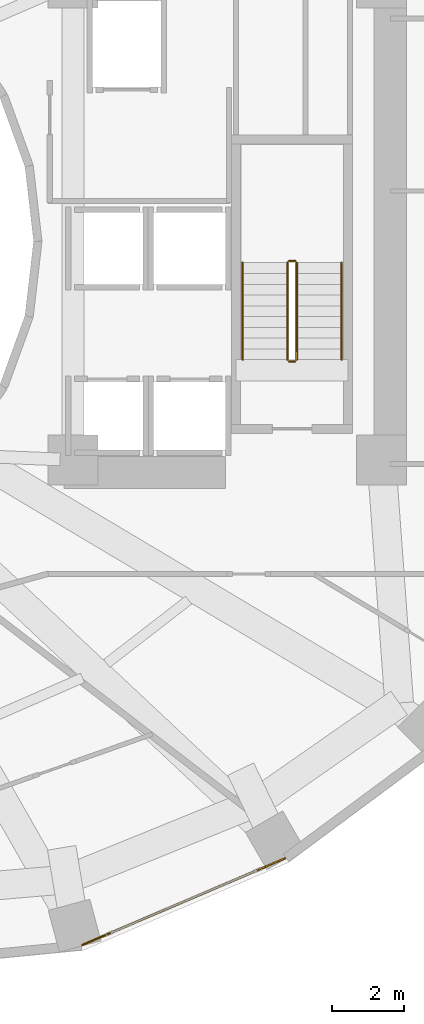
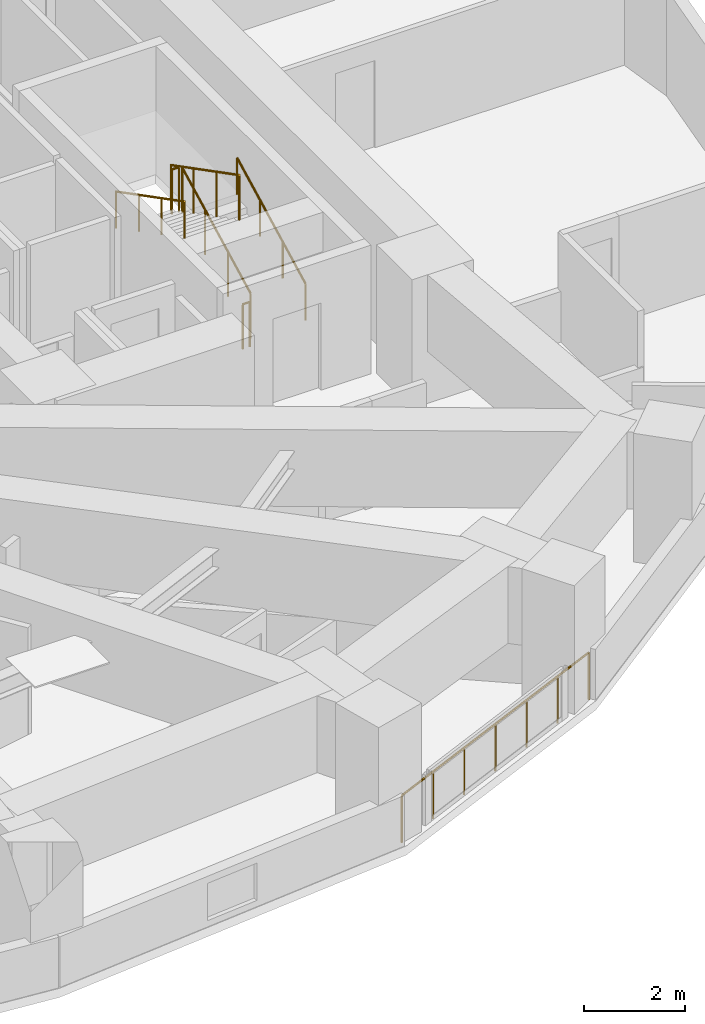
# One storey, part 15 of 16: 7 railings.
"""IFC4 building model written with IfcOpenShell, lengths in metres."""

from ifc_helpers import new_model, si_unit, direction, frame, origin, origin_2d, place, context, subcontext, project, spatial, circle, extrude, material, type_object, element, save


model = new_model("IFC4")

# Units and contexts
model_context = context("Model", 3, precision=1e-05, world=origin(), true_north=direction((0.0, 1.0)))
body_context = subcontext(model_context, "Body", "Model", "MODEL_VIEW")
ifc_project = project(units=[si_unit("LENGTHUNIT", "METRE"), si_unit("AREAUNIT", "SQUARE_METRE"), si_unit("VOLUMEUNIT", "CUBIC_METRE"), si_unit("PLANEANGLEUNIT", "RADIAN"), si_unit("MASSUNIT", "GRAM", prefix="KILO")], contexts=[model_context])

# Site, building, storey
site_placement = place(None, origin())
site = spatial("IfcSite", under=ifc_project, at=site_placement, CompositionType="ELEMENT")
building_placement = place(site_placement, origin())
building = spatial("IfcBuilding", under=site, at=building_placement, Name="Solvane Sanctuary Tower", CompositionType="ELEMENT")
storey_placement = place(building_placement, frame((0.0, 0.0, 61.699951171875)))
storey = spatial("IfcBuildingStorey", under=building, at=storey_placement, Name="L18", CompositionType="ELEMENT", Elevation=61.699951171875)

# Railings
ifc_material = material(Name="Architectural Stainless Steel 316", Category="steel")
railing_type_1 = type_object("IfcRailingType", Name="Railing GR-BALC-1150", PredefinedType="BALUSTRADE", material=ifc_material)
railing_1_placement = place(storey_placement, frame((40.359375, 3.37548828125, 0.0)))
element("IfcRailing", 1, at=railing_1_placement, inside=storey, type_object=railing_type_1, Name="L18 Curtain-Wall Perimeter Sill Guard 19", PredefinedType="BALUSTRADE", context=body_context, shape_type="SweptSolid", body=[
    extrude(circle(Radius=0.02392578125, at=origin_2d()), frame((0.0, 0.0, 1.1259765625), z_axis=(0.919604392421, 0.392845722186, 0.0), x_axis=(-0.392845722186, 0.919604392421, 0.0)), (0.0, 0.0, 1.0), 6.1494140625),
    extrude(circle(Radius=0.02099609375, at=origin_2d()), origin(), (0.0, 0.0, 1.0), 1.101806640625),
    extrude(circle(Radius=0.02099609375, at=origin_2d()), frame((0.9423828125, 0.402587890625, 0.0)), (0.0, 0.0, 1.0), 1.101806640625),
    extrude(circle(Radius=0.02099609375, at=origin_2d()), frame((1.885009765625, 0.80517578125, 0.0)), (0.0, 0.0, 1.0), 1.101806640625),
    extrude(circle(Radius=0.02099609375, at=origin_2d()), frame((2.82763671875, 1.2080078125, 0.0)), (0.0, 0.0, 1.0), 1.101806640625),
    extrude(circle(Radius=0.02099609375, at=origin_2d()), frame((3.77001953125, 1.610595703125, 0.0)), (0.0, 0.0, 1.0), 1.101806640625),
    extrude(circle(Radius=0.02099609375, at=origin_2d()), frame((4.71240234375, 2.01318359375, 0.0)), (0.0, 0.0, 1.0), 1.101806640625),
    extrude(circle(Radius=0.02099609375, at=origin_2d()), frame((5.655029296875, 2.415771484375, 0.0)), (0.0, 0.0, 1.0), 1.101806640625),
])
railing_2_placement = place(storey_placement, frame((46.340087890625, 19.699951171875, 0.155029296875)))
element("IfcRailing", 2, at=railing_2_placement, inside=storey, type_object=railing_type_1, Name="L18 ST-2 stair guard 1", PredefinedType="BALUSTRADE", context=body_context, shape_type="SweptSolid", body=[
    extrude(circle(Radius=0.02392578125, at=origin_2d()), frame((0.0, 0.0, 1.076171875), z_axis=(0.0, 0.888419900624, 0.459031676658), x_axis=(-1.0, 0.0, 0.0)), (0.0, 0.0, 1.0), 3.0390625),
    extrude(circle(Radius=0.02099609375, at=origin_2d()), origin(), (0.0, 0.0, 1.0), 1.052001953125),
    extrude(circle(Radius=0.02099609375, at=origin_2d()), frame((0.0, 0.89990234375, 0.465087890625)), (0.0, 0.0, 1.0), 1.052001953125),
    extrude(circle(Radius=0.02099609375, at=origin_2d()), frame((0.0, 1.800048828125, 0.929931640625)), (0.0, 0.0, 1.0), 1.052001953125),
    extrude(circle(Radius=0.02099609375, at=origin_2d()), frame((0.0, 2.699951171875, 1.39501953125)), (0.0, 0.0, 1.0), 1.052001953125),
])
railing_3_placement = place(storey_placement, frame((46.2900390625, 22.449951171875, 1.550048828125)))
element("IfcRailing", 3, at=railing_3_placement, inside=storey, type_object=railing_type_1, Name="L18 ST-2 stair guard 2", PredefinedType="BALUSTRADE", context=body_context, shape_type="SweptSolid", body=[
    extrude(circle(Radius=0.02392578125, at=origin_2d()), frame((0.0, 0.0, 1.076171875), z_axis=(-1.0, 0.0, 0.0), x_axis=(0.0, -1.0, 0.0)), (0.0, 0.0, 1.0), 0.16015625),
    extrude(circle(Radius=0.02099609375, at=origin_2d()), origin(), (0.0, 0.0, 1.0), 1.052001953125),
    extrude(circle(Radius=0.02099609375, at=origin_2d()), frame((-0.16015625, 0.0, 0.0)), (0.0, 0.0, 1.0), 1.052001953125),
])
railing_4_placement = place(storey_placement, frame((46.080078125, 22.39990234375, 1.705078125)))
element("IfcRailing", 4, at=railing_4_placement, inside=storey, type_object=railing_type_1, Name="L18 ST-2 stair guard 3", PredefinedType="BALUSTRADE", context=body_context, shape_type="SweptSolid", body=[
    extrude(circle(Radius=0.02392578125, at=origin_2d()), frame((0.0, 0.0, 1.076171875), z_axis=(0.0, -0.888419900624, 0.459031676658), x_axis=(1.0, 0.0, 0.0)), (0.0, 0.0, 1.0), 3.0390625),
    extrude(circle(Radius=0.02099609375, at=origin_2d()), origin(), (0.0, 0.0, 1.0), 1.052001953125),
    extrude(circle(Radius=0.02099609375, at=origin_2d()), frame((0.0, -0.89990234375, 0.465087890625)), (0.0, 0.0, 1.0), 1.052001953125),
    extrude(circle(Radius=0.02099609375, at=origin_2d()), frame((0.0, -1.800048828125, 0.929931640625)), (0.0, 0.0, 1.0), 1.052001953125),
    extrude(circle(Radius=0.02099609375, at=origin_2d()), frame((0.0, -2.699951171875, 1.39501953125)), (0.0, 0.0, 1.0), 1.052001953125),
])
railing_5_placement = place(storey_placement, frame((46.2900390625, 19.64990234375, 0.0)))
element("IfcRailing", 5, at=railing_5_placement, inside=storey, type_object=railing_type_1, Name="L18 ST-2 stair guard 4", PredefinedType="BALUSTRADE", context=body_context, shape_type="SweptSolid", body=[
    extrude(circle(Radius=0.02392578125, at=origin_2d()), frame((0.0, 0.0, 1.076171875), z_axis=(-1.0, 0.0, 0.0), x_axis=(0.0, -1.0, 0.0)), (0.0, 0.0, 1.0), 0.16015625),
    extrude(circle(Radius=0.02099609375, at=origin_2d()), origin(), (0.0, 0.0, 1.0), 1.052001953125),
    extrude(circle(Radius=0.02099609375, at=origin_2d()), frame((-0.16015625, 0.0, 0.0)), (0.0, 0.0, 1.0), 1.052001953125),
])
railing_type_2 = type_object("IfcRailingType", Name="Railing HR-STAIR-920", PredefinedType="HANDRAIL", material=ifc_material)
railing_6_placement = place(storey_placement, frame((47.590087890625, 19.699951171875, 0.155029296875)))
element("IfcRailing", 6, at=railing_6_placement, inside=storey, type_object=railing_type_2, Name="L18 ST-2 stair handrail 1", PredefinedType="HANDRAIL", context=body_context, shape_type="SweptSolid", body=[
    extrude(circle(Radius=0.02392578125, at=origin_2d()), frame((0.0, 0.0, 0.8759765625), z_axis=(0.0, 0.888419900624, 0.459031676658), x_axis=(-1.0, 0.0, 0.0)), (0.0, 0.0, 1.0), 3.0390625),
    extrude(circle(Radius=0.02099609375, at=origin_2d()), origin(), (0.0, 0.0, 1.0), 0.851806640625),
    extrude(circle(Radius=0.02099609375, at=origin_2d()), frame((0.0, 0.89990234375, 0.465087890625)), (0.0, 0.0, 1.0), 0.851806640625),
    extrude(circle(Radius=0.02099609375, at=origin_2d()), frame((0.0, 1.800048828125, 0.929931640625)), (0.0, 0.0, 1.0), 0.851806640625),
    extrude(circle(Radius=0.02099609375, at=origin_2d()), frame((0.0, 2.699951171875, 1.39501953125)), (0.0, 0.0, 1.0), 0.851806640625),
])
railing_7_placement = place(storey_placement, frame((44.830078125, 22.39990234375, 1.705078125)))
element("IfcRailing", 7, at=railing_7_placement, inside=storey, type_object=railing_type_2, Name="L18 ST-2 stair handrail 2", PredefinedType="HANDRAIL", context=body_context, shape_type="SweptSolid", body=[
    extrude(circle(Radius=0.02392578125, at=origin_2d()), frame((0.0, 0.0, 0.8759765625), z_axis=(0.0, -0.888419900624, 0.459031676658), x_axis=(1.0, 0.0, 0.0)), (0.0, 0.0, 1.0), 3.0390625),
    extrude(circle(Radius=0.02099609375, at=origin_2d()), origin(), (0.0, 0.0, 1.0), 0.851806640625),
    extrude(circle(Radius=0.02099609375, at=origin_2d()), frame((0.0, -0.89990234375, 0.465087890625)), (0.0, 0.0, 1.0), 0.851806640625),
    extrude(circle(Radius=0.02099609375, at=origin_2d()), frame((0.0, -1.800048828125, 0.929931640625)), (0.0, 0.0, 1.0), 0.851806640625),
    extrude(circle(Radius=0.02099609375, at=origin_2d()), frame((0.0, -2.699951171875, 1.39501953125)), (0.0, 0.0, 1.0), 0.851806640625),
])

save(model, "model.ifc")
